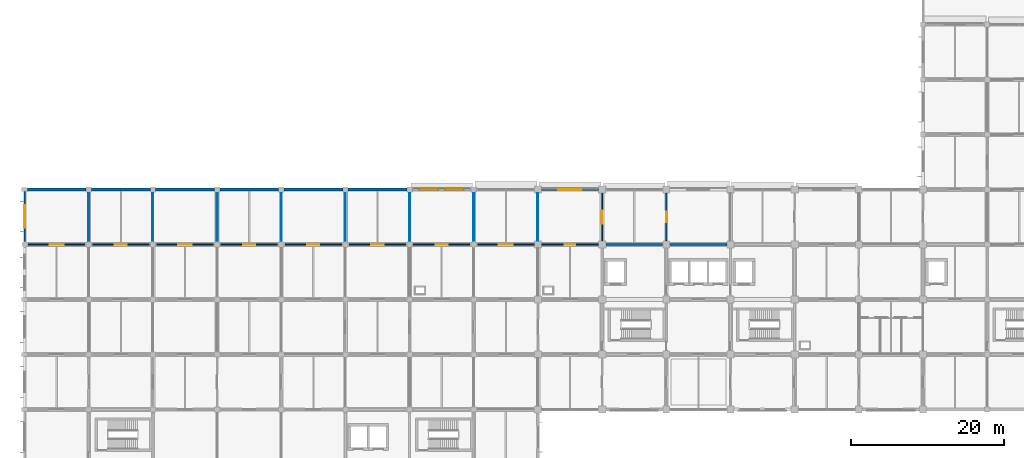
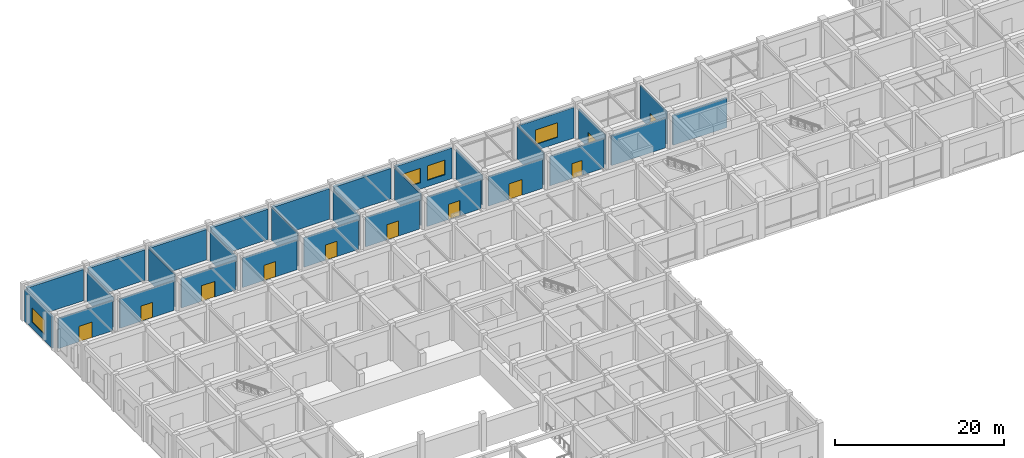
# One storey, part 26 of 41: 30 walls, 11 doors, 4 windows, 15 openings.
"""IFC4 building model written with IfcOpenShell, lengths in metres."""

from ifc_helpers import new_model, si_unit, derived_unit, direction, frame, frame_2d, origin, place, context, subcontext, project, spatial, rectangle, extrude, material, layer, layer_set, type_object, element, fill, save


model = new_model("IFC4")

# Units and contexts
model_context = context("Model", 3, precision=1e-05, world=origin(), true_north=direction((0.0, 1.0)))
body_context = subcontext(model_context, "Body", "Model", "MODEL_VIEW")
ifc_project = project(units=[si_unit("LENGTHUNIT", "METRE"), si_unit("AREAUNIT", "SQUARE_METRE"), si_unit("VOLUMEUNIT", "CUBIC_METRE"), si_unit("PLANEANGLEUNIT", "RADIAN"), si_unit("MASSUNIT", "GRAM", prefix="KILO"), derived_unit("THERMALTRANSMITTANCEUNIT", [(si_unit("MASSUNIT", "GRAM", prefix="KILO"), 1), (si_unit("TIMEUNIT", "SECOND"), -3), (si_unit("THERMODYNAMICTEMPERATUREUNIT", "KELVIN"), -1)])], contexts=[model_context])

# Site, building, storey
site_placement = place(None, origin())
site = spatial("IfcSite", under=ifc_project, at=site_placement, CompositionType="ELEMENT")
building_placement = place(site_placement, origin())
building = spatial("IfcBuilding", under=site, at=building_placement, Name="Veldstrom Oceanarium and Marine Research Institute", CompositionType="ELEMENT")
storey_placement = place(building_placement, frame((0.0, 0.0, 6.0)))
storey = spatial("IfcBuildingStorey", under=building, at=storey_placement, Name="L01", CompositionType="ELEMENT", Elevation=6.0)

# Wall, openings, windows
ifc_material_1 = material(Name="Masonry Cavity Wall", Category="masonry")
ifc_layer_1 = layer(ifc_material_1, 0.31005859375)
ifc_layer_set_1 = layer_set([ifc_layer_1], Name="ARC-WAL-EW1")
wall_type_1 = type_object("IfcWallType", Name="ARC-WAL-EW1", PredefinedType="SOLIDWALL", material=ifc_layer_set_1)
wall_1_placement = place(storey_placement, frame((50.75, 72.0, 0.0), z_axis=(0.0, 0.0, 1.0), x_axis=(1.0, 0.0, 0.0)))
wall_1 = element("IfcWall", 1, at=wall_1_placement, inside=storey, type_object=wall_type_1, Name="Exterior Facade Wall EW1 L01-082", PredefinedType="SOLIDWALL", context=body_context, shape_type="SweptSolid", body=[
    extrude(rectangle(XDim=7.699951171875, YDim=0.31005859375, at=frame_2d((3.85009765625, 0.0))), origin(), (0.0, 0.0, 1.0), 4.419921875),
])
opening_1_placement = place(wall_1_placement, frame((0.966796875, 0.0, 0.89990234375)))
opening_1 = element("IfcOpeningElement", 2, at=opening_1_placement, cuts=wall_1, Name="Opening W09", PredefinedType="OPENING", context=body_context, shape_type="SweptSolid", body=[
    extrude(rectangle(XDim=2.39990234375, YDim=2.10009765625, at=frame_2d((1.199951171875, 1.050048828125))), frame((0.0, 0.1650390625, 0.0), z_axis=(0.0, -1.0, 0.0), x_axis=(1.0, 0.0, 0.0)), (0.0, 0.0, 1.0), 0.330078125),
])
opening_2_placement = place(wall_1_placement, frame((4.333251953125, 0.0, 0.89990234375)))
opening_2 = element("IfcOpeningElement", 3, at=opening_2_placement, cuts=wall_1, Name="Opening W09", PredefinedType="OPENING", context=body_context, shape_type="SweptSolid", body=[
    extrude(rectangle(XDim=2.39990234375, YDim=2.10009765625, at=frame_2d((1.199951171875, 1.050048828125))), frame((0.0, 0.1650390625, 0.0), z_axis=(0.0, -1.0, 0.0), x_axis=(1.0, 0.0, 0.0)), (0.0, 0.0, 1.0), 0.330078125),
])
ifc_material_2 = material(Name="Double Glazed Low-E IGU", Category="glass")
window_type_1 = type_object("IfcWindowType", Name="ARC-WIN-W09", PartitioningType="SINGLE_PANEL", PredefinedType="WINDOW", material=ifc_material_2)
window_1_placement = place(opening_1_placement, origin())
window_1 = element("IfcWindow", 4, at=window_1_placement, inside=storey, type_object=window_type_1, Name="Facade Window W09 L01-0050", OverallHeight=2.10009765625, OverallWidth=2.39990234375, PartitioningType="SINGLE_PANEL", PredefinedType="WINDOW", context=body_context, shape_type="SweptSolid", body=[
    extrude(rectangle(XDim=2.39990234375, YDim=2.10009765625, at=frame_2d((1.199951171875, 1.050048828125))), frame((0.0, 0.030029296875, 0.0), z_axis=(0.0, -1.0, 0.0), x_axis=(1.0, 0.0, 0.0)), (0.0, 0.0, 1.0), 0.06005859375),
])
fill(opening_1, window_1)
window_2_placement = place(opening_2_placement, origin())
window_2 = element("IfcWindow", 5, at=window_2_placement, inside=storey, type_object=window_type_1, Name="Facade Window W09 L01-0051", OverallHeight=2.10009765625, OverallWidth=2.39990234375, PartitioningType="SINGLE_PANEL", PredefinedType="WINDOW", context=body_context, shape_type="SweptSolid", body=[
    extrude(rectangle(XDim=2.39990234375, YDim=2.10009765625, at=frame_2d((1.199951171875, 1.050048828125))), frame((0.0, 0.030029296875, 0.0), z_axis=(0.0, -1.0, 0.0), x_axis=(1.0, 0.0, 0.0)), (0.0, 0.0, 1.0), 0.06005859375),
])
fill(opening_2, window_2)

# Walls
ifc_material_3 = material(Name="Masonry Cavity Wall", Category="masonry")
ifc_layer_2 = layer(ifc_material_3, 0.340087890625)
ifc_layer_set_2 = layer_set([ifc_layer_2], Name="ARC-WAL-EW4")
wall_type_2 = type_object("IfcWallType", Name="ARC-WAL-EW4", PredefinedType="SOLIDWALL", material=ifc_layer_set_2)
wall_2_placement = place(storey_placement, frame((0.39990234375, 72.0, 0.0), z_axis=(0.0, 0.0, 1.0), x_axis=(1.0, 0.0, 0.0)))
element("IfcWall", 6, at=wall_2_placement, inside=storey, type_object=wall_type_2, Name="Exterior Facade Wall EW4 L01-070", PredefinedType="SOLIDWALL", context=body_context, shape_type="SweptSolid", body=[
    extrude(rectangle(XDim=7.650146484375, YDim=0.340087890625, at=frame_2d((3.8251953125, 0.0))), origin(), (0.0, 0.0, 1.0), 4.52001953125),
])
wall_3_placement = place(storey_placement, frame((8.75, 72.0, 0.0), z_axis=(0.0, 0.0, 1.0), x_axis=(1.0, 0.0, 0.0)))
element("IfcWall", 7, at=wall_3_placement, inside=storey, type_object=wall_type_2, Name="Exterior Facade Wall EW4 L01-073", PredefinedType="SOLIDWALL", context=body_context, shape_type="SweptSolid", body=[
    extrude(rectangle(XDim=7.699951171875, YDim=0.340087890625, at=frame_2d((3.85009765625, 0.0))), origin(), (0.0, 0.0, 1.0), 4.419921875),
])
wall_4_placement = place(storey_placement, frame((17.14990234375, 72.0, 0.0), z_axis=(0.0, 0.0, 1.0), x_axis=(1.0, 0.0, 0.0)))
element("IfcWall", 8, at=wall_4_placement, inside=storey, type_object=wall_type_2, Name="Exterior Facade Wall EW4 L01-076", PredefinedType="SOLIDWALL", context=body_context, shape_type="SweptSolid", body=[
    extrude(rectangle(XDim=7.7001953125, YDim=0.340087890625, at=frame_2d((3.85009765625, 0.0))), origin(), (0.0, 0.0, 1.0), 4.419921875),
])
for number, where, z_axis, x_axis, name in (
    (9, (25.550048828125, 72.0, 0.0), (0.0, 0.0, 1.0), (1.0, 0.0, 0.0), "Exterior Facade Wall EW4 L01-078"),
    (10, (33.949951171875, 72.0, 0.0), (0.0, 0.0, 1.0), (1.0, 0.0, 0.0), "Exterior Facade Wall EW4 L01-079"),
    (11, (42.35009765625, 72.0, 0.0), (0.0, 0.0, 1.0), (1.0, 0.0, 0.0), "Exterior Facade Wall EW4 L01-081"),
):
    element("IfcWall", number, at=place(storey_placement, frame(where, z_axis=z_axis, x_axis=x_axis)), inside=storey, type_object=wall_type_2, Name=name, PredefinedType="SOLIDWALL", context=body_context, shape_type="SweptSolid", body=[
        extrude(rectangle(XDim=7.699951171875, YDim=0.340087890625, at=frame_2d((3.85009765625, 0.0))), origin(), (0.0, 0.0, 1.0), 4.419921875),
    ])

# Wall, opening, window
ifc_material_4 = material(Name="Masonry Cavity Wall", Category="masonry")
ifc_layer_3 = layer(ifc_material_4, 0.25)
ifc_layer_set_3 = layer_set([ifc_layer_3], Name="ARC-WAL-EW5")
wall_type_3 = type_object("IfcWallType", Name="ARC-WAL-EW5", PredefinedType="SOLIDWALL", material=ifc_layer_set_3)
wall_5_placement = place(storey_placement, frame((67.64990234375, 72.0, 0.0), z_axis=(0.0, 0.0, 1.0), x_axis=(1.0, 0.0, 0.0)))
wall_5 = element("IfcWall", 12, at=wall_5_placement, inside=storey, type_object=wall_type_3, Name="Exterior Facade Wall EW5 L01-090", PredefinedType="SOLIDWALL", context=body_context, shape_type="SweptSolid", body=[
    extrude(rectangle(XDim=7.47509765625, YDim=0.25, at=frame_2d((3.737548828125, 0.0))), origin(), (0.0, 0.0, 1.0), 4.419921875),
])
opening_3_placement = place(wall_5_placement, frame((2.237548828125, 0.0, 0.89990234375)))
opening_3 = element("IfcOpeningElement", 13, at=opening_3_placement, cuts=wall_5, Name="Opening W07", PredefinedType="OPENING", context=body_context, shape_type="SweptSolid", body=[
    extrude(rectangle(XDim=3.0, YDim=2.10009765625, at=frame_2d((1.5, 1.050048828125))), frame((0.0, 0.135009765625, 0.0), z_axis=(0.0, -1.0, 0.0), x_axis=(1.0, 0.0, 0.0)), (0.0, 0.0, 1.0), 0.27001953125),
])
ifc_material_5 = material(Name="Double Glazed Low-E IGU", Category="glass")
window_type_2 = type_object("IfcWindowType", Name="ARC-WIN-W07", PartitioningType="SINGLE_PANEL", PredefinedType="WINDOW", material=ifc_material_5)
window_3_placement = place(opening_3_placement, origin())
window_3 = element("IfcWindow", 14, at=window_3_placement, inside=storey, type_object=window_type_2, Name="Facade Window W07 L01-0059", OverallHeight=2.10009765625, OverallWidth=3.0, PartitioningType="SINGLE_PANEL", PredefinedType="WINDOW", context=body_context, shape_type="SweptSolid", body=[
    extrude(rectangle(XDim=3.0, YDim=2.10009765625, at=frame_2d((1.5, 1.050048828125))), frame((0.0, 0.030029296875, 0.0), z_axis=(0.0, -1.0, 0.0), x_axis=(1.0, 0.0, 0.0)), (0.0, 0.0, 1.0), 0.06005859375),
])
fill(opening_3, window_3)

ifc_material_6 = material(Name="Masonry Cavity Wall", Category="masonry")
ifc_layer_4 = layer(ifc_material_6, 0.215087890625)
ifc_layer_set_4 = layer_set([ifc_layer_4], Name="ARC-WAL-EW6")
wall_type_4 = type_object("IfcWallType", Name="ARC-WAL-EW6", PredefinedType="SOLIDWALL", material=ifc_layer_set_4)
wall_6_placement = place(storey_placement, frame((0.0, 65.175048828125, 0.0), z_axis=(0.0, 0.0, 1.0), x_axis=(0.0, 1.0, 0.0)))
wall_6 = element("IfcWall", 15, at=wall_6_placement, inside=storey, type_object=wall_type_4, Name="Exterior Facade Wall EW6 L01-071", PredefinedType="SOLIDWALL", context=body_context, shape_type="SweptSolid", body=[
    extrude(rectangle(XDim=6.574951171875, YDim=0.215087890625, at=frame_2d((3.28759765625, 0.0))), origin(), (0.0, 0.0, 1.0), 4.52001953125),
])
opening_4_placement = place(wall_6_placement, frame((1.78759765625, 0.0, 0.89990234375)))
opening_4 = element("IfcOpeningElement", 16, at=opening_4_placement, cuts=wall_6, Name="Opening W07", PredefinedType="OPENING", context=body_context, shape_type="SweptSolid", body=[
    extrude(rectangle(XDim=3.0, YDim=2.10009765625, at=frame_2d((1.5, 1.050048828125))), frame((0.0, 0.117431640625, 0.0), z_axis=(0.0, -1.0, 0.0), x_axis=(1.0, 0.0, 0.0)), (0.0, 0.0, 1.0), 0.235107421875),
])
window_4_placement = place(opening_4_placement, origin())
window_4 = element("IfcWindow", 17, at=window_4_placement, inside=storey, type_object=window_type_2, Name="Facade Window W07 L01-0043", OverallHeight=2.10009765625, OverallWidth=3.0, PartitioningType="SINGLE_PANEL", PredefinedType="WINDOW", context=body_context, shape_type="SweptSolid", body=[
    extrude(rectangle(XDim=3.0, YDim=2.10009765625, at=frame_2d((1.5, 1.050048828125))), frame((0.0, 0.030029296875, 0.0), z_axis=(0.0, -1.0, 0.0), x_axis=(1.0, 0.0, 0.0)), (0.0, 0.0, 1.0), 0.06005859375),
])
fill(opening_4, window_4)

# Walls
ifc_material_7 = material(Name="Masonry Fire Compartment Wall", Category="masonry")
ifc_layer_5 = layer(ifc_material_7, 0.22998046875)
ifc_layer_set_5 = layer_set([ifc_layer_5], Name="ARC-WAL-PT1")
wall_type_5 = type_object("IfcWallType", Name="ARC-WAL-PT1", PredefinedType="PARTITIONING", material=ifc_layer_set_5)
for number, where, z_axis, x_axis, name in (
    (18, (76.10009765625, 64.800048828125, 0.0), (0.0, 0.0, 1.0), (1.0, 0.0, 0.0), "Interior Partition PT1 L01-0955"),
    (19, (84.5, 64.800048828125, 0.0), (0.0, 0.0, 1.0), (1.0, 0.0, 0.0), "Interior Partition PT1 L01-0962"),
):
    element("IfcWall", number, at=place(storey_placement, frame(where, z_axis=z_axis, x_axis=x_axis)), inside=storey, type_object=wall_type_5, Name=name, PredefinedType="PARTITIONING", context=body_context, shape_type="SweptSolid", body=[
        extrude(rectangle(XDim=7.39990234375, YDim=0.22998046875, at=frame_2d((3.699951171875, 0.0))), origin(), (0.0, 0.0, 1.0), 4.27001953125),
    ])

# Wall, opening, door
ifc_material_8 = material(Name="Drywall Corridor Partition", Category="gypsum")
ifc_layer_6 = layer(ifc_material_8, 0.155029296875)
ifc_layer_set_6 = layer_set([ifc_layer_6], Name="ARC-WAL-PT4")
wall_type_6 = type_object("IfcWallType", Name="ARC-WAL-PT4", PredefinedType="PARTITIONING", material=ifc_layer_set_6)
wall_7_placement = place(storey_placement, frame((0.5, 64.800048828125, 0.0), z_axis=(0.0, 0.0, 1.0), x_axis=(1.0, 0.0, 0.0)))
wall_7 = element("IfcWall", 20, at=wall_7_placement, inside=storey, type_object=wall_type_6, Name="Interior Partition PT4 L01-0842", PredefinedType="PARTITIONING", context=body_context, shape_type="SweptSolid", body=[
    extrude(rectangle(XDim=7.39990234375, YDim=0.155029296875, at=frame_2d((3.699951171875, 0.0))), origin(), (0.0, 0.0, 1.0), 4.3701171875),
])
opening_5_placement = place(wall_7_placement, frame((2.800048828125, 0.0, 0.0)))
opening_5 = element("IfcOpeningElement", 21, at=opening_5_placement, cuts=wall_7, Name="Opening D-L01-488", PredefinedType="OPENING", context=body_context, shape_type="SweptSolid", body=[
    extrude(rectangle(XDim=1.800048828125, YDim=2.25, at=frame_2d((0.89990234375, 1.125))), frame((0.0, 0.08740234375, 0.0), z_axis=(0.0, -1.0, 0.0), x_axis=(1.0, 0.0, 0.0)), (0.0, 0.0, 1.0), 0.175048828125),
])
ifc_material_9 = material(Name="Acoustic Timber Gallery Door", Category="wood")
door_type_1 = type_object("IfcDoorType", Name="ARC-DOR-ID01", OperationType="DOUBLE_DOOR_SINGLE_SWING", PredefinedType="DOOR", material=ifc_material_9)
door_1_placement = place(opening_5_placement, frame((1.800048828125, 0.0, 0.0), z_axis=(0.0, 0.0, 1.0), x_axis=(-1.0, 0.0, 0.0)))
door_1 = element("IfcDoor", 22, at=door_1_placement, inside=storey, type_object=door_type_1, Name="Interior Door D-L01-488", OperationType="DOUBLE_DOOR_SINGLE_SWING", OverallHeight=2.25, OverallWidth=1.800048828125, PredefinedType="DOOR", context=body_context, shape_type="SweptSolid", body=[
    extrude(rectangle(XDim=1.800048828125, YDim=2.25, at=frame_2d((0.89990234375, 1.125))), frame((0.0, 0.02490234375, 0.0), z_axis=(0.0, -1.0, 0.0), x_axis=(1.0, 0.0, 0.0)), (0.0, 0.0, 1.0), 0.050048828125),
])
fill(opening_5, door_1)

wall_8_placement = place(storey_placement, frame((17.300048828125, 64.800048828125, 0.0), z_axis=(0.0, 0.0, 1.0), x_axis=(1.0, 0.0, 0.0)))
wall_8 = element("IfcWall", 23, at=wall_8_placement, inside=storey, type_object=wall_type_6, Name="Interior Partition PT4 L01-0866", PredefinedType="PARTITIONING", context=body_context, shape_type="SweptSolid", body=[
    extrude(rectangle(XDim=7.39990234375, YDim=0.155029296875, at=frame_2d((3.699951171875, 0.0))), origin(), (0.0, 0.0, 1.0), 4.27001953125),
])
opening_6_placement = place(wall_8_placement, frame((2.800048828125, 0.0, 0.0)))
opening_6 = element("IfcOpeningElement", 24, at=opening_6_placement, cuts=wall_8, Name="Opening D-L01-502", PredefinedType="OPENING", context=body_context, shape_type="SweptSolid", body=[
    extrude(rectangle(XDim=1.800048828125, YDim=2.25, at=frame_2d((0.89990234375, 1.125))), frame((0.0, 0.08740234375, 0.0), z_axis=(0.0, -1.0, 0.0), x_axis=(1.0, 0.0, 0.0)), (0.0, 0.0, 1.0), 0.175048828125),
])
door_2_placement = place(opening_6_placement, frame((1.800048828125, 0.0, 0.0), z_axis=(0.0, 0.0, 1.0), x_axis=(-1.0, 0.0, 0.0)))
door_2 = element("IfcDoor", 25, at=door_2_placement, inside=storey, type_object=door_type_1, Name="Interior Door D-L01-502", OperationType="DOUBLE_DOOR_SINGLE_SWING", OverallHeight=2.25, OverallWidth=1.800048828125, PredefinedType="DOOR", context=body_context, shape_type="SweptSolid", body=[
    extrude(rectangle(XDim=1.800048828125, YDim=2.25, at=frame_2d((0.89990234375, 1.125))), frame((0.0, 0.02490234375, 0.0), z_axis=(0.0, -1.0, 0.0), x_axis=(1.0, 0.0, 0.0)), (0.0, 0.0, 1.0), 0.050048828125),
])
fill(opening_6, door_2)

wall_9_placement = place(storey_placement, frame((34.10009765625, 64.800048828125, 0.0), z_axis=(0.0, 0.0, 1.0), x_axis=(1.0, 0.0, 0.0)))
wall_9 = element("IfcWall", 26, at=wall_9_placement, inside=storey, type_object=wall_type_6, Name="Interior Partition PT4 L01-0890", PredefinedType="PARTITIONING", context=body_context, shape_type="SweptSolid", body=[
    extrude(rectangle(XDim=7.39990234375, YDim=0.155029296875, at=frame_2d((3.699951171875, 0.0))), origin(), (0.0, 0.0, 1.0), 4.27001953125),
])
opening_7_placement = place(wall_9_placement, frame((2.89990234375, 0.0, 0.0)))
opening_7 = element("IfcOpeningElement", 27, at=opening_7_placement, cuts=wall_9, Name="Opening D-L01-515", PredefinedType="OPENING", context=body_context, shape_type="SweptSolid", body=[
    extrude(rectangle(XDim=1.60009765625, YDim=2.199951171875, at=frame_2d((0.800048828125, 1.10009765625))), frame((0.0, 0.08740234375, 0.0), z_axis=(0.0, -1.0, 0.0), x_axis=(1.0, 0.0, 0.0)), (0.0, 0.0, 1.0), 0.175048828125),
])
ifc_material_10 = material(Name="Acoustic Timber Corridor Door", Category="wood")
door_type_2 = type_object("IfcDoorType", Name="ARC-DOR-ID02", OperationType="DOUBLE_DOOR_SINGLE_SWING", PredefinedType="DOOR", material=ifc_material_10)
door_3_placement = place(opening_7_placement, frame((1.60009765625, 0.0, 0.0), z_axis=(0.0, 0.0, 1.0), x_axis=(-1.0, 0.0, 0.0)))
door_3 = element("IfcDoor", 28, at=door_3_placement, inside=storey, type_object=door_type_2, Name="Interior Door D-L01-515", OperationType="DOUBLE_DOOR_SINGLE_SWING", OverallHeight=2.199951171875, OverallWidth=1.60009765625, PredefinedType="DOOR", context=body_context, shape_type="SweptSolid", body=[
    extrude(rectangle(XDim=1.60009765625, YDim=2.199951171875, at=frame_2d((0.800048828125, 1.10009765625))), frame((0.0, 0.02490234375, 0.0), z_axis=(0.0, -1.0, 0.0), x_axis=(1.0, 0.0, 0.0)), (0.0, 0.0, 1.0), 0.050048828125),
])
fill(opening_7, door_3)

wall_10_placement = place(storey_placement, frame((50.89990234375, 64.800048828125, 0.0), z_axis=(0.0, 0.0, 1.0), x_axis=(1.0, 0.0, 0.0)))
wall_10 = element("IfcWall", 29, at=wall_10_placement, inside=storey, type_object=wall_type_6, Name="Interior Partition PT4 L01-0928", PredefinedType="PARTITIONING", context=body_context, shape_type="SweptSolid", body=[
    extrude(rectangle(XDim=7.400146484375, YDim=0.155029296875, at=frame_2d((3.7001953125, 0.0))), origin(), (0.0, 0.0, 1.0), 4.27001953125),
])
opening_8_placement = place(wall_10_placement, frame((2.89990234375, 0.0, 0.0)))
opening_8 = element("IfcOpeningElement", 30, at=opening_8_placement, cuts=wall_10, Name="Opening D-L01-535", PredefinedType="OPENING", context=body_context, shape_type="SweptSolid", body=[
    extrude(rectangle(XDim=1.60009765625, YDim=2.199951171875, at=frame_2d((0.800048828125, 1.10009765625))), frame((0.0, 0.08740234375, 0.0), z_axis=(0.0, -1.0, 0.0), x_axis=(1.0, 0.0, 0.0)), (0.0, 0.0, 1.0), 0.175048828125),
])
door_4_placement = place(opening_8_placement, frame((1.60009765625, 0.0, 0.0), z_axis=(0.0, 0.0, 1.0), x_axis=(-1.0, 0.0, 0.0)))
door_4 = element("IfcDoor", 31, at=door_4_placement, inside=storey, type_object=door_type_2, Name="Interior Door D-L01-535", OperationType="DOUBLE_DOOR_SINGLE_SWING", OverallHeight=2.199951171875, OverallWidth=1.60009765625, PredefinedType="DOOR", context=body_context, shape_type="SweptSolid", body=[
    extrude(rectangle(XDim=1.60009765625, YDim=2.199951171875, at=frame_2d((0.800048828125, 1.10009765625))), frame((0.0, 0.02490234375, 0.0), z_axis=(0.0, -1.0, 0.0), x_axis=(1.0, 0.0, 0.0)), (0.0, 0.0, 1.0), 0.050048828125),
])
fill(opening_8, door_4)

wall_11_placement = place(storey_placement, frame((67.699951171875, 64.800048828125, 0.0), z_axis=(0.0, 0.0, 1.0), x_axis=(1.0, 0.0, 0.0)))
wall_11 = element("IfcWall", 32, at=wall_11_placement, inside=storey, type_object=wall_type_6, Name="Interior Partition PT4 L01-0948", PredefinedType="PARTITIONING", context=body_context, shape_type="SweptSolid", body=[
    extrude(rectangle(XDim=7.400146484375, YDim=0.155029296875, at=frame_2d((3.7001953125, 0.0))), origin(), (0.0, 0.0, 1.0), 4.27001953125),
])
opening_9_placement = place(wall_11_placement, frame((3.0, 0.0, 0.0)))
opening_9 = element("IfcOpeningElement", 33, at=opening_9_placement, cuts=wall_11, Name="Opening D-L01-549", PredefinedType="OPENING", context=body_context, shape_type="SweptSolid", body=[
    extrude(rectangle(XDim=1.39990234375, YDim=2.14990234375, at=frame_2d((0.699951171875, 1.074951171875))), frame((0.0, 0.08740234375, 0.0), z_axis=(0.0, -1.0, 0.0), x_axis=(1.0, 0.0, 0.0)), (0.0, 0.0, 1.0), 0.175048828125),
])
ifc_material_11 = material(Name="Education Classroom Door", Category="timber")
door_type_3 = type_object("IfcDoorType", Name="ARC-DOR-ID04", OperationType="DOUBLE_DOOR_SINGLE_SWING", PredefinedType="DOOR", material=ifc_material_11)
door_5_placement = place(opening_9_placement, frame((1.39990234375, 0.0, 0.0), z_axis=(0.0, 0.0, 1.0), x_axis=(-1.0, 0.0, 0.0)))
door_5 = element("IfcDoor", 34, at=door_5_placement, inside=storey, type_object=door_type_3, Name="Interior Door D-L01-549", OperationType="DOUBLE_DOOR_SINGLE_SWING", OverallHeight=2.14990234375, OverallWidth=1.39990234375, PredefinedType="DOOR", context=body_context, shape_type="SweptSolid", body=[
    extrude(rectangle(XDim=1.39990234375, YDim=2.14990234375, at=frame_2d((0.699951171875, 1.074951171875))), frame((0.0, 0.02490234375, 0.0), z_axis=(0.0, -1.0, 0.0), x_axis=(1.0, 0.0, 0.0)), (0.0, 0.0, 1.0), 0.050048828125),
])
fill(opening_9, door_5)

wall_12_placement = place(storey_placement, frame((84.0, 65.300048828125, 0.0), z_axis=(0.0, 0.0, 1.0), x_axis=(0.0, 1.0, 0.0)))
wall_12 = element("IfcWall", 35, at=wall_12_placement, inside=storey, type_object=wall_type_6, Name="Interior Partition PT4 L01-0956", PredefinedType="PARTITIONING", context=body_context, shape_type="SweptSolid", body=[
    extrude(rectangle(XDim=6.199951171875, YDim=0.155029296875, at=frame_2d((3.10009765625, 0.0))), origin(), (0.0, 0.0, 1.0), 4.780029296875),
])
opening_10_placement = place(wall_12_placement, frame((2.39990234375, 0.0, 0.0)))
opening_10 = element("IfcOpeningElement", 36, at=opening_10_placement, cuts=wall_12, Name="Opening D-L01-555", PredefinedType="OPENING", context=body_context, shape_type="SweptSolid", body=[
    extrude(rectangle(XDim=1.39990234375, YDim=2.14990234375, at=frame_2d((0.699951171875, 1.074951171875))), frame((0.0, 0.08740234375, 0.0), z_axis=(0.0, -1.0, 0.0), x_axis=(1.0, 0.0, 0.0)), (0.0, 0.0, 1.0), 0.175048828125),
])
door_6_placement = place(opening_10_placement, origin())
door_6 = element("IfcDoor", 37, at=door_6_placement, inside=storey, type_object=door_type_3, Name="Interior Door D-L01-555", OperationType="DOUBLE_DOOR_SINGLE_SWING", OverallHeight=2.14990234375, OverallWidth=1.39990234375, PredefinedType="DOOR", context=body_context, shape_type="SweptSolid", body=[
    extrude(rectangle(XDim=1.39990234375, YDim=2.14990234375, at=frame_2d((0.699951171875, 1.074951171875))), frame((0.0, 0.02490234375, 0.0), z_axis=(0.0, -1.0, 0.0), x_axis=(1.0, 0.0, 0.0)), (0.0, 0.0, 1.0), 0.050048828125),
])
fill(opening_10, door_6)

ifc_material_12 = material(Name="Moisture-Resistant Wet-Area Partition", Category="masonry")
ifc_layer_7 = layer(ifc_material_12, 0.139892578125)
ifc_layer_set_7 = layer_set([ifc_layer_7], Name="ARC-WAL-PT5")
wall_type_7 = type_object("IfcWallType", Name="ARC-WAL-PT5", PredefinedType="PARTITIONING", material=ifc_layer_set_7)
wall_13_placement = place(storey_placement, frame((8.89990234375, 64.800048828125, 0.0), z_axis=(0.0, 0.0, 1.0), x_axis=(1.0, 0.0, 0.0)))
wall_13 = element("IfcWall", 38, at=wall_13_placement, inside=storey, type_object=wall_type_7, Name="Interior Partition PT5 L01-0854", PredefinedType="PARTITIONING", context=body_context, shape_type="SweptSolid", body=[
    extrude(rectangle(XDim=7.400146484375, YDim=0.139892578125, at=frame_2d((3.7001953125, 0.0))), origin(), (0.0, 0.0, 1.0), 4.27001953125),
])
opening_11_placement = place(wall_13_placement, frame((2.89990234375, 0.0, 0.0)))
opening_11 = element("IfcOpeningElement", 39, at=opening_11_placement, cuts=wall_13, Name="Opening D-L01-495", PredefinedType="OPENING", context=body_context, shape_type="SweptSolid", body=[
    extrude(rectangle(XDim=1.60009765625, YDim=2.199951171875, at=frame_2d((0.800048828125, 1.10009765625))), frame((0.0, 0.079833984375, 0.0), z_axis=(0.0, -1.0, 0.0), x_axis=(1.0, 0.0, 0.0)), (0.0, 0.0, 1.0), 0.159912109375),
])
door_7_placement = place(opening_11_placement, origin())
door_7 = element("IfcDoor", 40, at=door_7_placement, inside=storey, type_object=door_type_2, Name="Interior Door D-L01-495", OperationType="DOUBLE_DOOR_SINGLE_SWING", OverallHeight=2.199951171875, OverallWidth=1.60009765625, PredefinedType="DOOR", context=body_context, shape_type="SweptSolid", body=[
    extrude(rectangle(XDim=1.60009765625, YDim=2.199951171875, at=frame_2d((0.800048828125, 1.10009765625))), frame((0.0, 0.02490234375, 0.0), z_axis=(0.0, -1.0, 0.0), x_axis=(1.0, 0.0, 0.0)), (0.0, 0.0, 1.0), 0.050048828125),
])
fill(opening_11, door_7)

wall_14_placement = place(storey_placement, frame((25.699951171875, 64.800048828125, 0.0), z_axis=(0.0, 0.0, 1.0), x_axis=(1.0, 0.0, 0.0)))
wall_14 = element("IfcWall", 41, at=wall_14_placement, inside=storey, type_object=wall_type_7, Name="Interior Partition PT5 L01-0878", PredefinedType="PARTITIONING", context=body_context, shape_type="SweptSolid", body=[
    extrude(rectangle(XDim=7.400146484375, YDim=0.139892578125, at=frame_2d((3.7001953125, 0.0))), origin(), (0.0, 0.0, 1.0), 4.27001953125),
])
opening_12_placement = place(wall_14_placement, frame((2.89990234375, 0.0, 0.0)))
opening_12 = element("IfcOpeningElement", 42, at=opening_12_placement, cuts=wall_14, Name="Opening D-L01-509", PredefinedType="OPENING", context=body_context, shape_type="SweptSolid", body=[
    extrude(rectangle(XDim=1.60009765625, YDim=2.199951171875, at=frame_2d((0.800048828125, 1.10009765625))), frame((0.0, 0.079833984375, 0.0), z_axis=(0.0, -1.0, 0.0), x_axis=(1.0, 0.0, 0.0)), (0.0, 0.0, 1.0), 0.159912109375),
])
door_8_placement = place(opening_12_placement, origin())
door_8 = element("IfcDoor", 43, at=door_8_placement, inside=storey, type_object=door_type_2, Name="Interior Door D-L01-509", OperationType="DOUBLE_DOOR_SINGLE_SWING", OverallHeight=2.199951171875, OverallWidth=1.60009765625, PredefinedType="DOOR", context=body_context, shape_type="SweptSolid", body=[
    extrude(rectangle(XDim=1.60009765625, YDim=2.199951171875, at=frame_2d((0.800048828125, 1.10009765625))), frame((0.0, 0.02490234375, 0.0), z_axis=(0.0, -1.0, 0.0), x_axis=(1.0, 0.0, 0.0)), (0.0, 0.0, 1.0), 0.050048828125),
])
fill(opening_12, door_8)

wall_15_placement = place(storey_placement, frame((42.5, 64.800048828125, 0.0), z_axis=(0.0, 0.0, 1.0), x_axis=(1.0, 0.0, 0.0)))
wall_15 = element("IfcWall", 44, at=wall_15_placement, inside=storey, type_object=wall_type_7, Name="Interior Partition PT5 L01-0909", PredefinedType="PARTITIONING", context=body_context, shape_type="SweptSolid", body=[
    extrude(rectangle(XDim=7.39990234375, YDim=0.139892578125, at=frame_2d((3.699951171875, 0.0))), origin(), (0.0, 0.0, 1.0), 4.27001953125),
])
opening_13_placement = place(wall_15_placement, frame((2.89990234375, 0.0, 0.0)))
opening_13 = element("IfcOpeningElement", 45, at=opening_13_placement, cuts=wall_15, Name="Opening D-L01-525", PredefinedType="OPENING", context=body_context, shape_type="SweptSolid", body=[
    extrude(rectangle(XDim=1.60009765625, YDim=2.199951171875, at=frame_2d((0.800048828125, 1.10009765625))), frame((0.0, 0.079833984375, 0.0), z_axis=(0.0, -1.0, 0.0), x_axis=(1.0, 0.0, 0.0)), (0.0, 0.0, 1.0), 0.159912109375),
])
door_9_placement = place(opening_13_placement, origin())
door_9 = element("IfcDoor", 46, at=door_9_placement, inside=storey, type_object=door_type_2, Name="Interior Door D-L01-525", OperationType="DOUBLE_DOOR_SINGLE_SWING", OverallHeight=2.199951171875, OverallWidth=1.60009765625, PredefinedType="DOOR", context=body_context, shape_type="SweptSolid", body=[
    extrude(rectangle(XDim=1.60009765625, YDim=2.199951171875, at=frame_2d((0.800048828125, 1.10009765625))), frame((0.0, 0.02490234375, 0.0), z_axis=(0.0, -1.0, 0.0), x_axis=(1.0, 0.0, 0.0)), (0.0, 0.0, 1.0), 0.050048828125),
])
fill(opening_13, door_9)

wall_16_placement = place(storey_placement, frame((59.300048828125, 64.800048828125, 0.0), z_axis=(0.0, 0.0, 1.0), x_axis=(1.0, 0.0, 0.0)))
wall_16 = element("IfcWall", 47, at=wall_16_placement, inside=storey, type_object=wall_type_7, Name="Interior Partition PT5 L01-0941", PredefinedType="PARTITIONING", context=body_context, shape_type="SweptSolid", body=[
    extrude(rectangle(XDim=7.39990234375, YDim=0.139892578125, at=frame_2d((3.699951171875, 0.0))), origin(), (0.0, 0.0, 1.0), 4.27001953125),
])
opening_14_placement = place(wall_16_placement, frame((2.800048828125, 0.0, 0.0)))
opening_14 = element("IfcOpeningElement", 48, at=opening_14_placement, cuts=wall_16, Name="Opening D-L01-544", PredefinedType="OPENING", context=body_context, shape_type="SweptSolid", body=[
    extrude(rectangle(XDim=1.800048828125, YDim=2.25, at=frame_2d((0.89990234375, 1.125))), frame((0.0, 0.079833984375, 0.0), z_axis=(0.0, -1.0, 0.0), x_axis=(1.0, 0.0, 0.0)), (0.0, 0.0, 1.0), 0.159912109375),
])
door_10_placement = place(opening_14_placement, origin())
door_10 = element("IfcDoor", 49, at=door_10_placement, inside=storey, type_object=door_type_1, Name="Interior Door D-L01-544", OperationType="DOUBLE_DOOR_SINGLE_SWING", OverallHeight=2.25, OverallWidth=1.800048828125, PredefinedType="DOOR", context=body_context, shape_type="SweptSolid", body=[
    extrude(rectangle(XDim=1.800048828125, YDim=2.25, at=frame_2d((0.89990234375, 1.125))), frame((0.0, 0.02490234375, 0.0), z_axis=(0.0, -1.0, 0.0), x_axis=(1.0, 0.0, 0.0)), (0.0, 0.0, 1.0), 0.050048828125),
])
fill(opening_14, door_10)

wall_17_placement = place(storey_placement, frame((75.60009765625, 65.300048828125, 0.0), z_axis=(0.0, 0.0, 1.0), x_axis=(0.0, 1.0, 0.0)))
wall_17 = element("IfcWall", 50, at=wall_17_placement, inside=storey, type_object=wall_type_7, Name="Interior Partition PT5 L01-0949", PredefinedType="PARTITIONING", context=body_context, shape_type="SweptSolid", body=[
    extrude(rectangle(XDim=6.199951171875, YDim=0.139892578125, at=frame_2d((3.10009765625, 0.0))), origin(), (0.0, 0.0, 1.0), 4.320068359375),
])
opening_15_placement = place(wall_17_placement, frame((2.25, 0.0, 0.0)))
opening_15 = element("IfcOpeningElement", 51, at=opening_15_placement, cuts=wall_17, Name="Opening D-L01-550", PredefinedType="OPENING", context=body_context, shape_type="SweptSolid", body=[
    extrude(rectangle(XDim=1.699951171875, YDim=2.25, at=frame_2d((0.85009765625, 1.125))), frame((0.0, 0.079833984375, 0.0), z_axis=(0.0, -1.0, 0.0), x_axis=(1.0, 0.0, 0.0)), (0.0, 0.0, 1.0), 0.159912109375),
])
ifc_material_13 = material(Name="Symposium Auditorium Door", Category="timber")
door_type_4 = type_object("IfcDoorType", Name="ARC-DOR-ID13", OperationType="DOUBLE_DOOR_SINGLE_SWING", PredefinedType="DOOR", material=ifc_material_13)
door_11_placement = place(opening_15_placement, frame((1.699951171875, 0.0, 0.0), z_axis=(0.0, 0.0, 1.0), x_axis=(-1.0, 0.0, 0.0)))
door_11 = element("IfcDoor", 52, at=door_11_placement, inside=storey, type_object=door_type_4, Name="Interior Door D-L01-550", OperationType="DOUBLE_DOOR_SINGLE_SWING", OverallHeight=2.25, OverallWidth=1.699951171875, PredefinedType="DOOR", context=body_context, shape_type="SweptSolid", body=[
    extrude(rectangle(XDim=1.699951171875, YDim=2.25, at=frame_2d((0.85009765625, 1.125))), frame((0.0, 0.02490234375, 0.0), z_axis=(0.0, -1.0, 0.0), x_axis=(1.0, 0.0, 0.0)), (0.0, 0.0, 1.0), 0.050048828125),
])
fill(opening_15, door_11)

# Walls
ifc_material_14 = material(Name="Lightweight Studio Partition", Category="gypsum")
ifc_layer_8 = layer(ifc_material_14, 0.1201171875)
ifc_layer_set_8 = layer_set([ifc_layer_8], Name="ARC-WAL-PT6")
wall_type_8 = type_object("IfcWallType", Name="ARC-WAL-PT6", PredefinedType="PARTITIONING", material=ifc_layer_set_8)
wall_18_placement = place(storey_placement, frame((8.39990234375, 65.300048828125, 0.0), z_axis=(0.0, 0.0, 1.0), x_axis=(0.0, 1.0, 0.0)))
element("IfcWall", 53, at=wall_18_placement, inside=storey, type_object=wall_type_8, Name="Interior Partition PT6 L01-0843", PredefinedType="PARTITIONING", context=body_context, shape_type="SweptSolid", body=[
    extrude(rectangle(XDim=6.199951171875, YDim=0.1201171875, at=frame_2d((3.10009765625, 0.0))), origin(), (0.0, 0.0, 1.0), 4.320068359375),
])
wall_19_placement = place(storey_placement, frame((16.800048828125, 65.300048828125, 0.0), z_axis=(0.0, 0.0, 1.0), x_axis=(0.0, 1.0, 0.0)))
element("IfcWall", 54, at=wall_19_placement, inside=storey, type_object=wall_type_8, Name="Interior Partition PT6 L01-0855", PredefinedType="PARTITIONING", context=body_context, shape_type="SweptSolid", body=[
    extrude(rectangle(XDim=6.199951171875, YDim=0.1201171875, at=frame_2d((3.10009765625, 0.0))), origin(), (0.0, 0.0, 1.0), 4.669921875),
])
wall_20_placement = place(storey_placement, frame((25.199951171875, 65.300048828125, 0.0), z_axis=(0.0, 0.0, 1.0), x_axis=(0.0, 1.0, 0.0)))
element("IfcWall", 55, at=wall_20_placement, inside=storey, type_object=wall_type_8, Name="Interior Partition PT6 L01-0867", PredefinedType="PARTITIONING", context=body_context, shape_type="SweptSolid", body=[
    extrude(rectangle(XDim=6.199951171875, YDim=0.1201171875, at=frame_2d((3.10009765625, 0.0))), origin(), (0.0, 0.0, 1.0), 4.320068359375),
])
wall_21_placement = place(storey_placement, frame((33.60009765625, 65.300048828125, 0.0), z_axis=(0.0, 0.0, 1.0), x_axis=(0.0, 1.0, 0.0)))
element("IfcWall", 56, at=wall_21_placement, inside=storey, type_object=wall_type_8, Name="Interior Partition PT6 L01-0879", PredefinedType="PARTITIONING", context=body_context, shape_type="SweptSolid", body=[
    extrude(rectangle(XDim=6.199951171875, YDim=0.1201171875, at=frame_2d((3.10009765625, 0.0))), origin(), (0.0, 0.0, 1.0), 4.780029296875),
])
wall_22_placement = place(storey_placement, frame((42.0, 65.300048828125, 0.0), z_axis=(0.0, 0.0, 1.0), x_axis=(0.0, 1.0, 0.0)))
element("IfcWall", 57, at=wall_22_placement, inside=storey, type_object=wall_type_8, Name="Interior Partition PT6 L01-0891", PredefinedType="PARTITIONING", context=body_context, shape_type="SweptSolid", body=[
    extrude(rectangle(XDim=6.199951171875, YDim=0.1201171875, at=frame_2d((3.10009765625, 0.0))), origin(), (0.0, 0.0, 1.0), 4.320068359375),
])
wall_23_placement = place(storey_placement, frame((50.39990234375, 65.300048828125, 0.0), z_axis=(0.0, 0.0, 1.0), x_axis=(0.0, 1.0, 0.0)))
element("IfcWall", 58, at=wall_23_placement, inside=storey, type_object=wall_type_8, Name="Interior Partition PT6 L01-0910", PredefinedType="PARTITIONING", context=body_context, shape_type="SweptSolid", body=[
    extrude(rectangle(XDim=6.199951171875, YDim=0.1201171875, at=frame_2d((3.10009765625, 0.0))), origin(), (0.0, 0.0, 1.0), 4.570068359375),
])
wall_24_placement = place(storey_placement, frame((58.800048828125, 65.300048828125, 0.0), z_axis=(0.0, 0.0, 1.0), x_axis=(0.0, 1.0, 0.0)))
element("IfcWall", 59, at=wall_24_placement, inside=storey, type_object=wall_type_8, Name="Interior Partition PT6 L01-0929", PredefinedType="PARTITIONING", context=body_context, shape_type="SweptSolid", body=[
    extrude(rectangle(XDim=6.199951171875, YDim=0.1201171875, at=frame_2d((3.10009765625, 0.0))), origin(), (0.0, 0.0, 1.0), 4.320068359375),
])
wall_25_placement = place(storey_placement, frame((67.199951171875, 65.300048828125, 0.0), z_axis=(0.0, 0.0, 1.0), x_axis=(0.0, 1.0, 0.0)))
element("IfcWall", 60, at=wall_25_placement, inside=storey, type_object=wall_type_8, Name="Interior Partition PT6 L01-0942", PredefinedType="PARTITIONING", context=body_context, shape_type="SweptSolid", body=[
    extrude(rectangle(XDim=6.199951171875, YDim=0.1201171875, at=frame_2d((3.10009765625, 0.0))), origin(), (0.0, 0.0, 1.0), 4.669921875),
])

save(model, "model.ifc")
